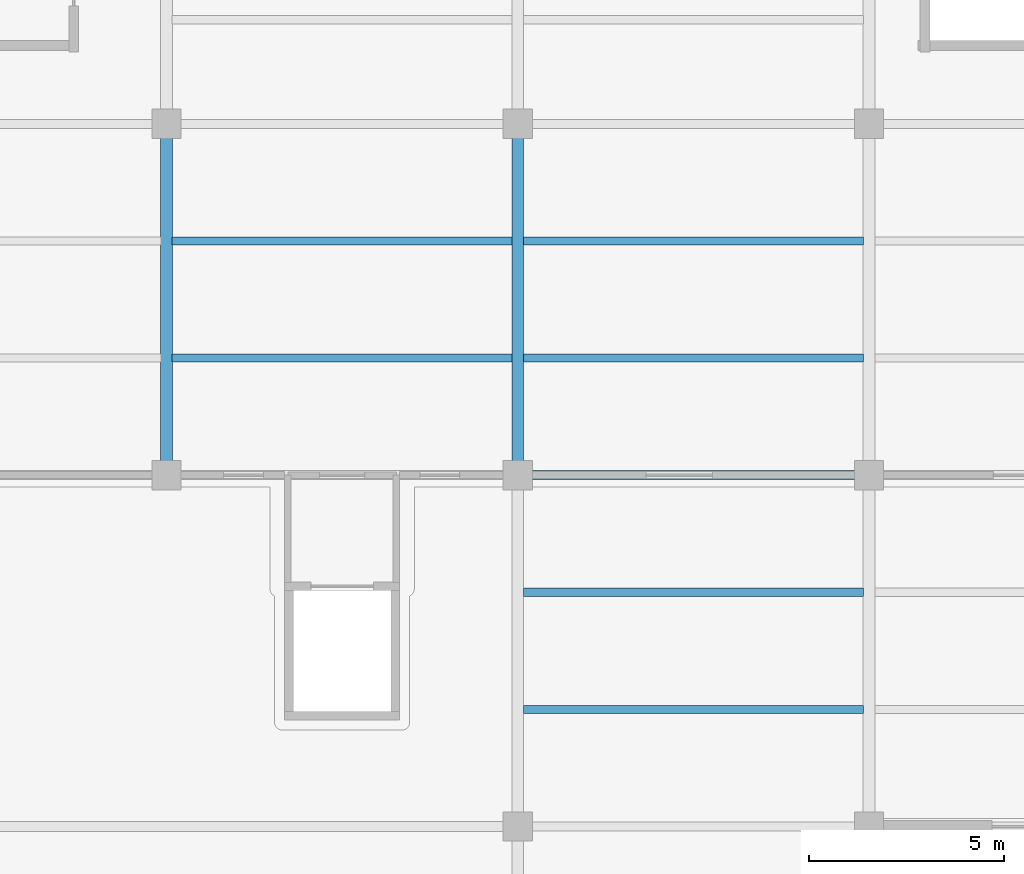
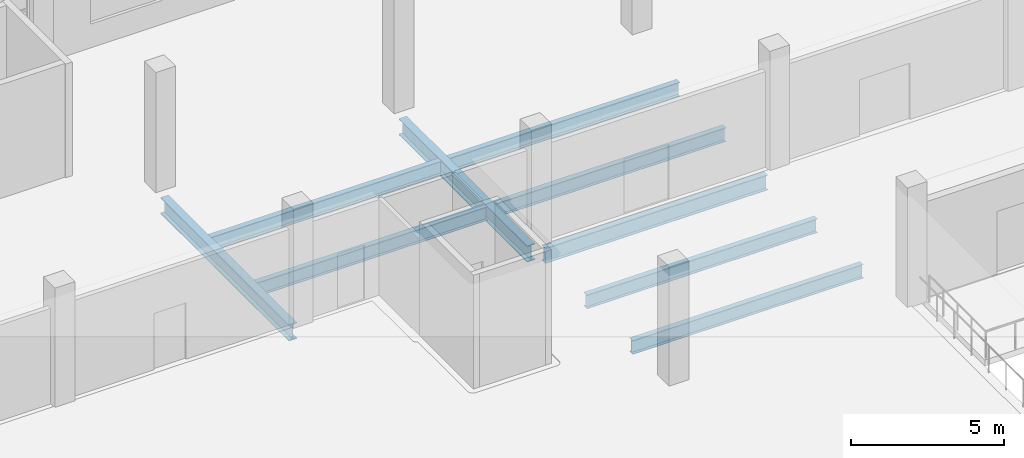
# One storey, part 51 of 152: 9 beams.
"""IFC4 building model written with IfcOpenShell, lengths in metres."""

from ifc_helpers import new_model, si_unit, direction, frame, origin, origin_2d, place, context, subcontext, project, spatial, i_section, extrude, material, material_profile, profile_set, type_object, element, save


model = new_model("IFC4")

# Units and contexts
model_context = context("Model", 3, precision=1e-05, world=origin(), true_north=direction((0.0, 1.0)))
body_context = subcontext(model_context, "Body", "Model", "MODEL_VIEW")
ifc_project = project(units=[si_unit("LENGTHUNIT", "METRE"), si_unit("AREAUNIT", "SQUARE_METRE"), si_unit("VOLUMEUNIT", "CUBIC_METRE"), si_unit("PLANEANGLEUNIT", "RADIAN"), si_unit("MASSUNIT", "GRAM", prefix="KILO")], contexts=[model_context])

# Site, building, storey
site_placement = place(None, origin())
site = spatial("IfcSite", under=ifc_project, at=site_placement, CompositionType="ELEMENT")
building_placement = place(site_placement, origin())
building = spatial("IfcBuilding", under=site, at=building_placement, Name="Zevraka Park Crest Stadium", CompositionType="ELEMENT")
storey_placement = place(building_placement, frame((0.0, 0.0, 15.0)))
storey = spatial("IfcBuildingStorey", under=building, at=storey_placement, Name="L03", CompositionType="ELEMENT", Elevation=15.0)

# Beams
ifc_material_1 = material(Name="Steel S355", Category="steel")
ifc_material_profile_1 = material_profile(ifc_material_1, i_section(OverallWidth=0.300048828125, OverallDepth=0.64990234375, WebThickness=0.01611328125, FlangeThickness=0.031005859375, at=origin_2d()), Name="HEB 650")
ifc_profile_set_1 = profile_set([ifc_material_profile_1], Name="Steel S355")
beam_type_1 = type_object("IfcBeamType", Name="BG07", PredefinedType="BEAM", material=ifc_profile_set_1)
for number, where, z_axis, x_axis, name in (
    (1, (18.0, 167.300048828125, -0.633056640625), (0.0, 1.0, 0.0), (-1.0, 0.0, 0.0), "Wing Girder BG07 L03-3/UV"),
    (2, (27.0, 167.300048828125, -0.633056640625), (0.0, 1.0, 0.0), (-1.0, 0.0, 0.0), "Wing Girder BG07 L03-4/UV"),
):
    element("IfcBeam", number, at=place(storey_placement, frame(where, z_axis=z_axis, x_axis=x_axis)), inside=storey, type_object=beam_type_1, Name=name, PredefinedType="BEAM", context=body_context, shape_type="SweptSolid", body=[
        extrude(i_section(OverallWidth=0.300048828125, OverallDepth=0.64990234375, WebThickness=0.01611328125, FlangeThickness=0.031005859375, at=origin_2d()), origin(), (0.0, 0.0, 1.0), 8.39990234375),
    ])
ifc_material_2 = material(Name="Steel S355", Category="steel")
ifc_material_profile_2 = material_profile(ifc_material_2, i_section(OverallWidth=0.22900390625, OverallDepth=0.612060546875, WebThickness=0.011962890625, FlangeThickness=0.01953125, at=origin_2d()), Name="UKB 610x229x125")
ifc_profile_set_2 = profile_set([ifc_material_profile_2], Name="Steel S355")
beam_type_2 = type_object("IfcBeamType", Name="BG09", PredefinedType="BEAM", material=ifc_profile_set_2)
beam_placement = place(storey_placement, frame((27.300048828125, 167.0, -0.614013671875), z_axis=(1.0, 0.0, 0.0), x_axis=(0.0, 1.0, 0.0)))
element("IfcBeam", 3, at=beam_placement, inside=storey, type_object=beam_type_2, Name="Wing Girder BG09 L03-45/U", PredefinedType="BEAM", context=body_context, shape_type="SweptSolid", body=[
    extrude(i_section(OverallWidth=0.22900390625, OverallDepth=0.612060546875, WebThickness=0.011962890625, FlangeThickness=0.01953125, at=origin_2d()), origin(), (0.0, 0.0, 1.0), 8.39990234375),
])
ifc_material_3 = material(Name="Steel S355", Category="steel")
ifc_material_profile_3 = material_profile(ifc_material_3, i_section(OverallWidth=0.2099609375, OverallDepth=0.550048828125, WebThickness=0.010986328125, FlangeThickness=0.01708984375, at=origin_2d()), Name="IPE 550")
ifc_profile_set_3 = profile_set([ifc_material_profile_3], Name="Steel S355")
beam_type_3 = type_object("IfcBeamType", Name="SJ04", PredefinedType="JOIST", material=ifc_profile_set_3)
for number, where, z_axis, x_axis, name in (
    (4, (18.14501953125, 170.0, -0.5849609375), (1.0, 0.0, 0.0), (0.0, 1.0, 0.0), "Wing Joist SJ04 L03-3/U-1"),
    (5, (18.14501953125, 173.0, -0.5849609375), (1.0, 0.0, 0.0), (0.0, 1.0, 0.0), "Wing Joist SJ04 L03-3/U-2"),
    (6, (27.14501953125, 161.0, -0.5849609375), (1.0, 0.0, 0.0), (0.0, 1.0, 0.0), "Wing Joist SJ04 L03-4/T-1"),
    (7, (27.14501953125, 164.0, -0.5849609375), (1.0, 0.0, 0.0), (0.0, 1.0, 0.0), "Wing Joist SJ04 L03-4/T-2"),
    (8, (27.14501953125, 170.0, -0.5849609375), (1.0, 0.0, 0.0), (0.0, 1.0, 0.0), "Wing Joist SJ04 L03-4/U-1"),
    (9, (27.14501953125, 173.0, -0.5849609375), (1.0, 0.0, 0.0), (0.0, 1.0, 0.0), "Wing Joist SJ04 L03-4/U-2"),
):
    element("IfcBeam", number, at=place(storey_placement, frame(where, z_axis=z_axis, x_axis=x_axis)), inside=storey, type_object=beam_type_3, Name=name, PredefinedType="JOIST", context=body_context, shape_type="SweptSolid", body=[
        extrude(i_section(OverallWidth=0.2099609375, OverallDepth=0.550048828125, WebThickness=0.010986328125, FlangeThickness=0.01708984375, at=origin_2d()), origin(), (0.0, 0.0, 1.0), 8.7099609375),
    ])

save(model, "model.ifc")
